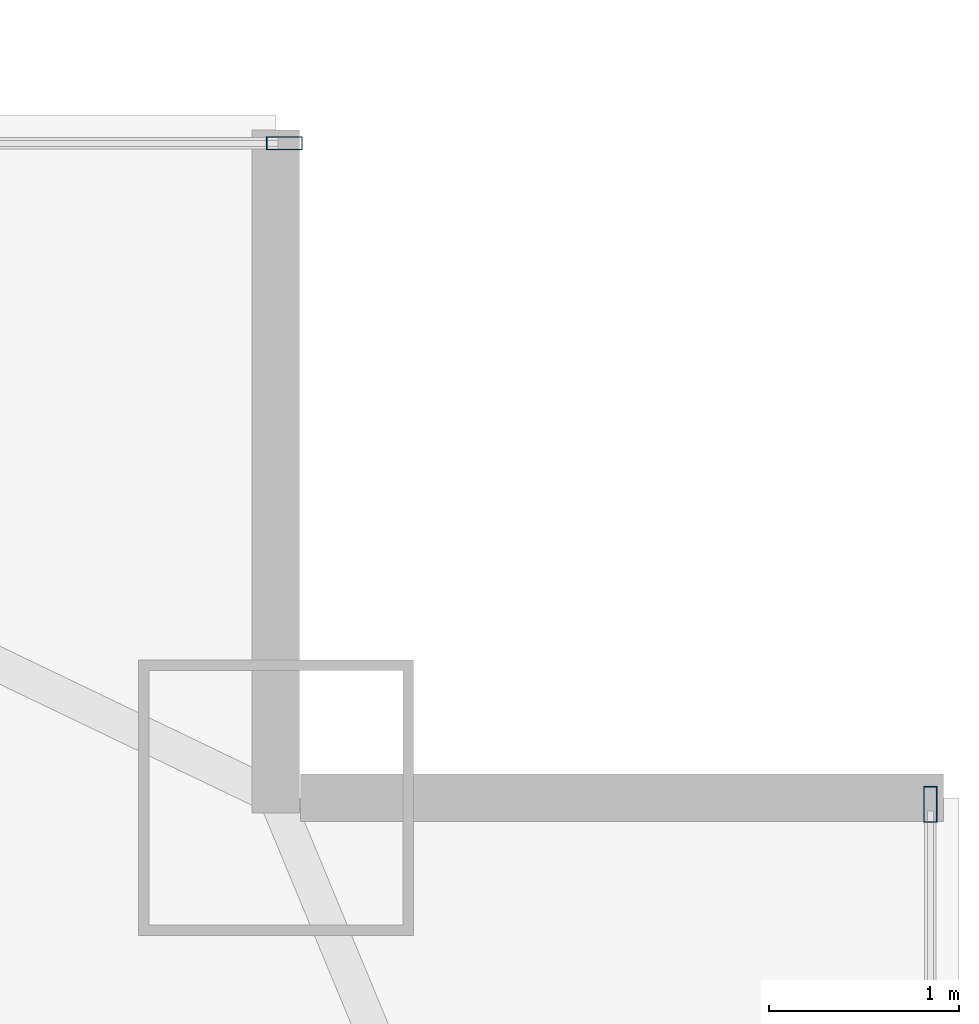
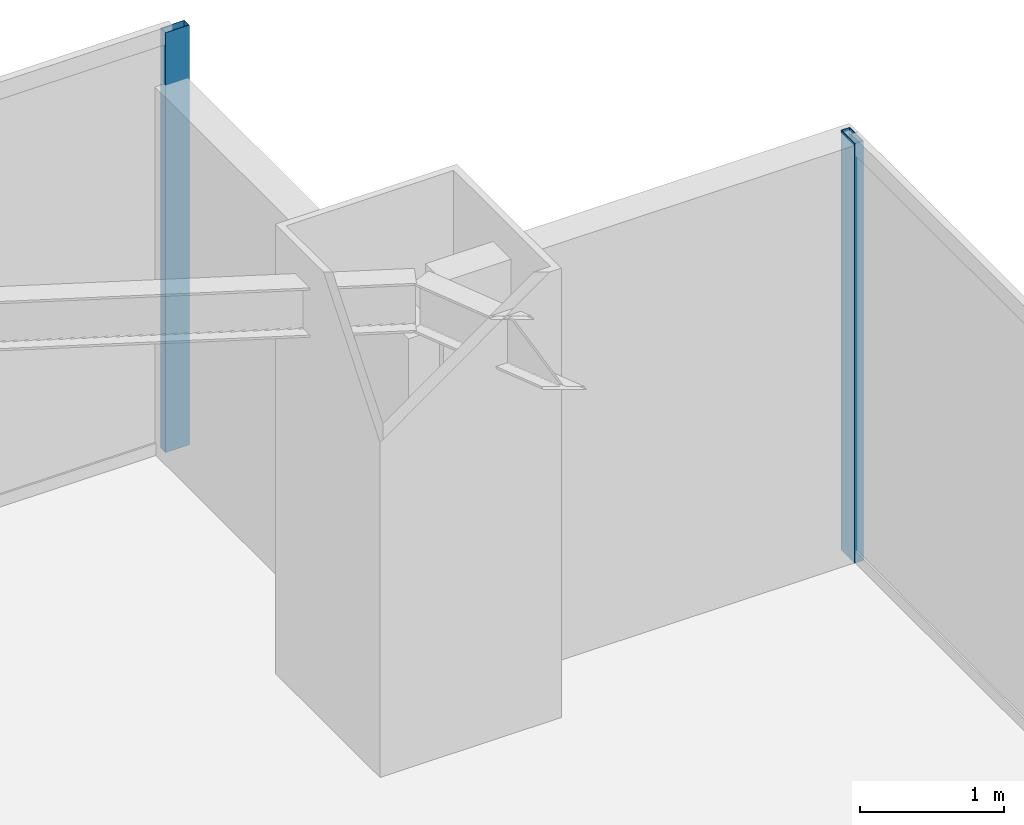
# One storey, part 26 of 37: 2 members, 2 elements without a shape of their own.
"""IFC4 building model written with IfcOpenShell, lengths in metres."""

from ifc_helpers import new_model, si_unit, direction, frame, origin, origin_2d, place, context, subcontext, project, spatial, hollow_rectangle, extrude, source, transform, mapped, material, layer, layer_set, material_profile, profile_set, type_object, type_shapes, element, aggregate, save


model = new_model("IFC4")

# Units and contexts
model_context = context("Model", 3, precision=1e-05, world=origin(), true_north=direction((0.0, 1.0)))
body_context = subcontext(model_context, "Body", "Model", "MODEL_VIEW")
ifc_project = project(units=[si_unit("LENGTHUNIT", "METRE"), si_unit("AREAUNIT", "SQUARE_METRE"), si_unit("VOLUMEUNIT", "CUBIC_METRE"), si_unit("PLANEANGLEUNIT", "RADIAN"), si_unit("MASSUNIT", "GRAM", prefix="KILO")], contexts=[model_context])

# Site, building, storey
site_placement = place(None, origin())
site = spatial("IfcSite", under=ifc_project, at=site_placement, CompositionType="ELEMENT")
building_placement = place(site_placement, origin())
building = spatial("IfcBuilding", under=site, at=building_placement, Name="Varnel Quay Broadcast Tower", CompositionType="ELEMENT")
storey_placement = place(building_placement, frame((0.0, 0.0, 106.800048828125)))
storey = spatial("IfcBuildingStorey", under=building, at=storey_placement, Name="L25", CompositionType="ELEMENT", Elevation=106.800048828125)

# Curtain wall, member
ifc_material = material(Name="Anodised Bronze Aluminium 6063-T6", Category="aluminium")
ifc_layer = layer(ifc_material, 0.18994140625, Name="Anodised Bronze Aluminium 6063-T6")
ifc_layer_set = layer_set([ifc_layer], Name="Anodised Bronze Aluminium 6063-T6")
curtain_wall_type = type_object("IfcCurtainWallType", Name="CW_LowerTower", PredefinedType="NOTDEFINED", material=ifc_layer_set)
curtain_wall_1_placement = place(storey_placement, origin())
curtain_wall_1 = element("IfcCurtainWall", 1, at=curtain_wall_1_placement, inside=storey, type_object=curtain_wall_type, Name="L25 East Unitised Curtain Wall", PredefinedType="NOTDEFINED")
ifc_material_profile = material_profile(ifc_material, hollow_rectangle(XDim=0.070068359375, YDim=0.18994140625, WallThickness=0.00390625, at=origin_2d()), Name="ALU70X190X4")
ifc_profile_set = profile_set([ifc_material_profile], Name="Anodised Bronze Aluminium 6063-T6")
member_type = type_object("IfcMemberType", Name="Mull_CWS-02", PredefinedType="MULLION", material=ifc_profile_set)
shared_shape = source(origin(), body_context, "Body", "SweptSolid", [
    extrude(hollow_rectangle(XDim=0.070068359375, YDim=0.18994140625, WallThickness=0.00390625, at=origin_2d()), origin(), (0.0, 0.0, 1.0), 3.550048828125),
])
type_shapes(member_type, [shared_shape])
member_1_placement = place(storey_placement, frame((63.35009765625, 43.1650390625, 0.0), z_axis=(0.0, 0.0, 1.0), x_axis=(-1.0, 0.0, 0.0)))
member_1 = element("IfcMember", 2, at=member_1_placement, type_object=member_type, Name="CWS-02 mullion 4", PredefinedType="MULLION", context=body_context, shape_type="MappedRepresentation", body=[
    mapped(shared_shape, transform((0.0, 0.0, 0.0), x_axis=(1.0, 0.0, 0.0), y_axis=(0.0, 1.0, 0.0), z_axis=(0.0, 0.0, 1.0), scale=1.0)),
])
aggregate(curtain_wall_1, [member_1])

curtain_wall_2_placement = place(storey_placement, origin())
curtain_wall_2 = element("IfcCurtainWall", 3, at=curtain_wall_2_placement, inside=storey, type_object=curtain_wall_type, Name="L25 NE Wing Curtain Wall", PredefinedType="NOTDEFINED")
member_2_placement = place(storey_placement, frame((59.945068359375, 46.64990234375, 0.0), z_axis=(0.0, 0.0, 1.0), x_axis=(0.0, 1.0, 0.0)))
member_2 = element("IfcMember", 4, at=member_2_placement, type_object=member_type, Name="CWS-02 mullion 2", PredefinedType="MULLION", context=body_context, shape_type="MappedRepresentation", body=[
    mapped(shared_shape, transform((0.0, 0.0, 0.0), x_axis=(1.0, 0.0, 0.0), y_axis=(0.0, 1.0, 0.0), z_axis=(0.0, 0.0, 1.0), scale=1.0)),
])
aggregate(curtain_wall_2, [member_2])

save(model, "model.ifc")
